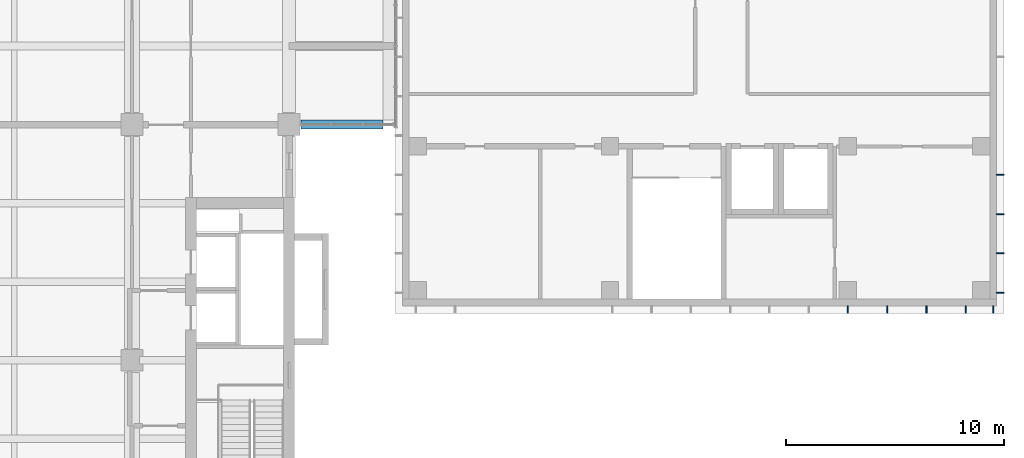
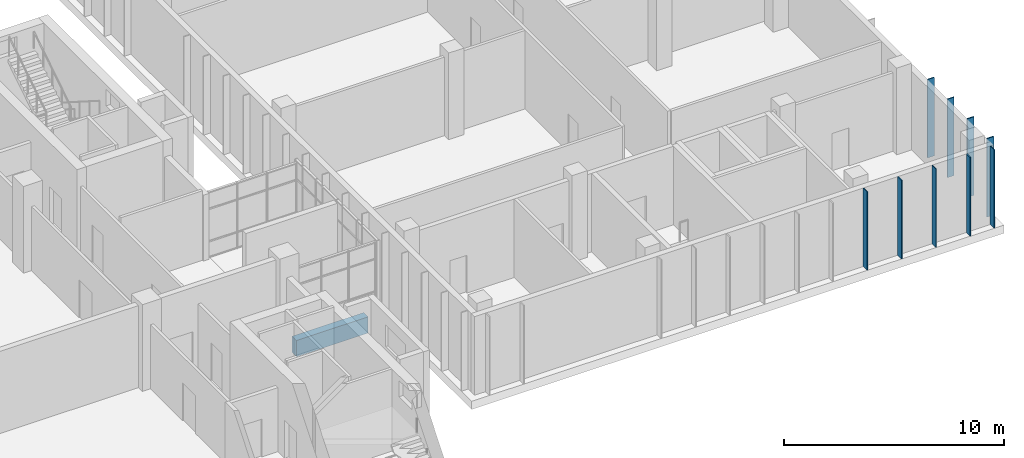
# One storey, part 18 of 45: 9 members, 1 beam.
"""IFC4 building model written with IfcOpenShell, lengths in metres."""

from ifc_helpers import new_model, si_unit, direction, frame, origin, origin_2d, place, context, subcontext, project, spatial, rectangle, extrude, material, material_profile, profile_set, type_object, element, save


model = new_model("IFC4")

# Units and contexts
model_context = context("Model", 3, precision=1e-05, world=origin(), true_north=direction((0.0, 1.0)))
body_context = subcontext(model_context, "Body", "Model", "MODEL_VIEW")
ifc_project = project(units=[si_unit("LENGTHUNIT", "METRE"), si_unit("AREAUNIT", "SQUARE_METRE"), si_unit("VOLUMEUNIT", "CUBIC_METRE"), si_unit("PLANEANGLEUNIT", "RADIAN"), si_unit("MASSUNIT", "GRAM", prefix="KILO")], contexts=[model_context])

# Site, building, storey
site_placement = place(None, origin())
site = spatial("IfcSite", under=ifc_project, at=site_placement, CompositionType="ELEMENT")
building_placement = place(site_placement, origin())
building = spatial("IfcBuilding", under=site, at=building_placement, Name="Basin Gate Institute", CompositionType="ELEMENT")
storey_placement = place(building_placement, frame((0.0, 0.0, 22.199951171875)))
storey = spatial("IfcBuildingStorey", under=building, at=storey_placement, Name="L04", CompositionType="ELEMENT", Elevation=22.199951171875)

# Beam
ifc_material_1 = material(Name="Concrete 50 MPa", Category="concrete")
ifc_material_profile_1 = material_profile(ifc_material_1, rectangle(XDim=0.39990234375, YDim=0.89990234375, at=origin_2d()), Name="Cantilever beam B3 400 x 900")
ifc_profile_set_1 = profile_set([ifc_material_profile_1], Name="Concrete 50 MPa")
beam_type = type_object("IfcBeamType", Name="Cantilever beam B3 R120", PredefinedType="BEAM", material=ifc_profile_set_1)
beam_placement = place(storey_placement, frame((123.10009765625, 78.300048828125, -0.699951171875), z_axis=(-1.0, 0.0, 0.0), x_axis=(0.0, -1.0, 0.0)))
element("IfcBeam", 1, at=beam_placement, inside=storey, type_object=beam_type, material=ifc_profile_set_1, Name="BEAM/L04/E/CANT/13", PredefinedType="BEAM", context=body_context, shape_type="SweptSolid", body=[
    extrude(rectangle(XDim=0.39990234375, YDim=0.89990234375, at=origin_2d()), origin(), (0.0, 0.0, 1.0), 3.75),
])

# Members
ifc_material_2 = material(Name="Anodised aluminium", Category="aluminium")
ifc_material_profile_2 = material_profile(ifc_material_2, rectangle(XDim=0.050048828125, YDim=0.35009765625, at=origin_2d()), Name="Louvre fin CF1 50 x 350")
ifc_profile_set_2 = profile_set([ifc_material_profile_2], Name="Anodised aluminium")
member_type = type_object("IfcMemberType", Name="Louvre fin CF1", PredefinedType="PLATE", material=ifc_profile_set_2)
for number, where, z_axis, x_axis, name in (
    (2, (144.39990234375, 69.824951171875, 0.0), (0.0, 0.0, 1.0), (1.0, 0.0, 0.0), "Louvre fin CF1 S12 L04"),
    (3, (146.199951171875, 69.824951171875, 0.0), (0.0, 0.0, 1.0), (1.0, 0.0, 0.0), "Louvre fin CF1 S13 L04"),
    (4, (148.0, 69.824951171875, 0.0), (0.0, 0.0, 1.0), (1.0, 0.0, 0.0), "Louvre fin CF1 S14 L04"),
    (5, (149.800048828125, 69.824951171875, 0.0), (0.0, 0.0, 1.0), (1.0, 0.0, 0.0), "Louvre fin CF1 S15 L04"),
    (6, (151.050048828125, 69.824951171875, 0.0), (0.0, 0.0, 1.0), (1.0, 0.0, 0.0), "Louvre fin CF1 S16 L04"),
    (7, (151.375, 70.60009765625, 0.0), (0.0, 0.0, 1.0), (0.0, 1.0, 0.0), "Louvre fin CF1 E1 L04"),
    (8, (151.375, 72.39990234375, 0.0), (0.0, 0.0, 1.0), (0.0, 1.0, 0.0), "Louvre fin CF1 E2 L04"),
    (9, (151.375, 74.199951171875, 0.0), (0.0, 0.0, 1.0), (0.0, 1.0, 0.0), "Louvre fin CF1 E3 L04"),
    (10, (151.375, 76.0, 0.0), (0.0, 0.0, 1.0), (0.0, 1.0, 0.0), "Louvre fin CF1 E4 L04"),
):
    element("IfcMember", number, at=place(storey_placement, frame(where, z_axis=z_axis, x_axis=x_axis)), inside=storey, type_object=member_type, material=ifc_profile_set_2, Name=name, PredefinedType="PLATE", context=body_context, shape_type="SweptSolid", body=[
        extrude(rectangle(XDim=0.050048828125, YDim=0.35009765625, at=origin_2d()), origin(), (0.0, 0.0, 1.0), 4.35009765625),
    ])

save(model, "model.ifc")
